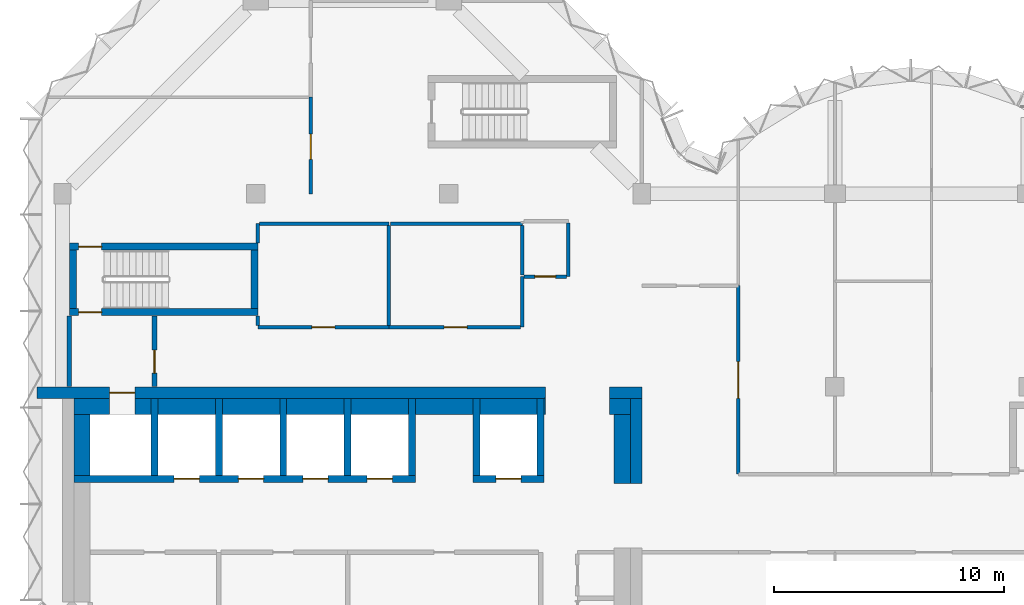
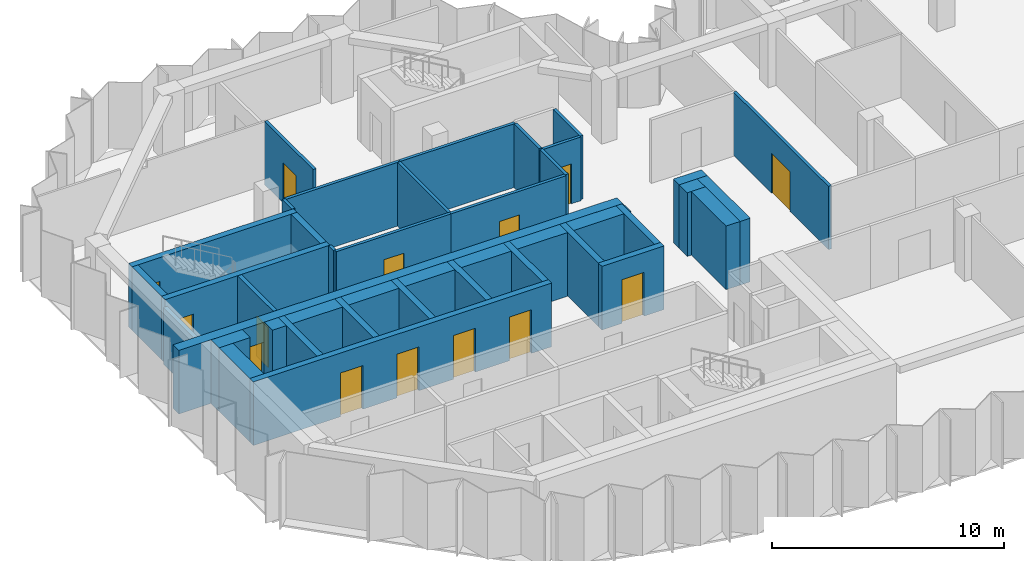
# One storey, part 5 of 10: 43 walls, 14 doors, 14 openings.
"""IFC4 building model written with IfcOpenShell, lengths in metres."""

from ifc_helpers import new_model, si_unit, direction, frame, frame_2d, origin, place, context, subcontext, project, spatial, rectangle, extrude, material, layer, layer_set, type_object, element, fill, save


model = new_model("IFC4")

# Units and contexts
model_context = context("Model", 3, precision=1e-05, world=origin(), true_north=direction((0.0, 1.0)))
body_context = subcontext(model_context, "Body", "Model", "MODEL_VIEW")
ifc_project = project(units=[si_unit("LENGTHUNIT", "METRE"), si_unit("AREAUNIT", "SQUARE_METRE"), si_unit("VOLUMEUNIT", "CUBIC_METRE"), si_unit("PLANEANGLEUNIT", "RADIAN"), si_unit("MASSUNIT", "GRAM", prefix="KILO")], contexts=[model_context])

# Site, building, storey
site_placement = place(None, origin())
site = spatial("IfcSite", under=ifc_project, at=site_placement, CompositionType="ELEMENT")
building_placement = place(site_placement, origin())
building = spatial("IfcBuilding", under=site, at=building_placement, Name="Brevane Broadcast Tower", CompositionType="ELEMENT")
storey_placement = place(building_placement, frame((0.0, 0.0, 233.699951171875)))
storey = spatial("IfcBuildingStorey", under=building, at=storey_placement, Name="L59", CompositionType="ELEMENT", Elevation=233.699951171875)

# Walls
ifc_material_1 = material(Name="Concrete C32/40", Category="concrete")
ifc_layer_1 = layer(ifc_material_1, 0.699951171875)
ifc_layer_set_1 = layer_set([ifc_layer_1], Name="Core chase wall 700 mm")
wall_type_1 = type_object("IfcWallType", Name="Core chase wall 700 mm", PredefinedType="PARTITIONING", material=ifc_layer_set_1)
wall_1_placement = place(storey_placement, frame((24.35009765625, 12.60009765625, 0.0), z_axis=(0.0, 0.0, 1.0), x_axis=(0.0, 1.0, 0.0)))
element("IfcWall", 1, at=wall_1_placement, inside=storey, type_object=wall_type_1, Name="L59 chase wall LE2", PredefinedType="PARTITIONING", context=body_context, shape_type="SweptSolid", body=[
    extrude(rectangle(XDim=3.0, YDim=0.699951171875, at=frame_2d((1.5, 0.0))), origin(), (0.0, 0.0, 1.0), 3.35009765625),
])
wall_2_placement = place(storey_placement, frame((0.5, 15.949951171875, 0.0), z_axis=(0.0, 0.0, 1.0), x_axis=(1.0, 0.0, 0.0)))
element("IfcWall", 2, at=wall_2_placement, inside=storey, type_object=wall_type_1, Name="L59 chase wall LN0", PredefinedType="PARTITIONING", context=body_context, shape_type="SweptSolid", body=[
    extrude(rectangle(XDim=1.550048828125, YDim=0.699951171875, at=frame_2d((0.77490234375, 0.0))), origin(), (0.0, 0.0, 1.0), 3.35009765625),
])
wall_3_placement = place(storey_placement, frame((23.800048828125, 15.949951171875, 0.0), z_axis=(0.0, 0.0, 1.0), x_axis=(1.0, 0.0, 0.0)))
element("IfcWall", 3, at=wall_3_placement, inside=storey, type_object=wall_type_1, Name="L59 chase wall LN2", PredefinedType="PARTITIONING", context=body_context, shape_type="SweptSolid", body=[
    extrude(rectangle(XDim=0.89990234375, YDim=0.699951171875, at=frame_2d((0.449951171875, 0.0))), origin(), (0.0, 0.0, 1.0), 3.35009765625),
])
wall_4_placement = place(storey_placement, frame((0.85009765625, 12.949951171875, 0.0), z_axis=(0.0, 0.0, 1.0), x_axis=(0.0, 1.0, 0.0)))
element("IfcWall", 4, at=wall_4_placement, inside=storey, type_object=wall_type_1, Name="L59 chase wall LW-2", PredefinedType="PARTITIONING", context=body_context, shape_type="SweptSolid", body=[
    extrude(rectangle(XDim=2.650146484375, YDim=0.699951171875, at=frame_2d((1.3251953125, 0.0))), origin(), (0.0, 0.0, 1.0), 3.35009765625),
])
wall_5_placement = place(storey_placement, frame((3.14990234375, 15.949951171875, 0.0), z_axis=(0.0, 0.0, 1.0), x_axis=(1.0, 0.0, 0.0)))
element("IfcWall", 5, at=wall_5_placement, inside=storey, type_object=wall_type_1, Name="L59 chase wall LN1-1", PredefinedType="PARTITIONING", context=body_context, shape_type="SweptSolid", body=[
    extrude(rectangle(XDim=0.7001953125, YDim=0.699951171875, at=frame_2d((0.35009765625, 0.0))), origin(), (0.0, 0.0, 1.0), 3.35009765625),
])
for number, where, z_axis, x_axis, name in (
    (6, (4.14990234375, 15.949951171875, 0.0), (0.0, 0.0, 1.0), (1.0, 0.0, 0.0), "L59 chase wall LN1-2-1"),
    (7, (6.949951171875, 15.949951171875, 0.0), (0.0, 0.0, 1.0), (1.0, 0.0, 0.0), "L59 chase wall LN1-2-2-1"),
    (8, (9.75, 15.949951171875, 0.0), (0.0, 0.0, 1.0), (1.0, 0.0, 0.0), "L59 chase wall LN1-2-2-2-1"),
    (9, (12.550048828125, 15.949951171875, 0.0), (0.0, 0.0, 1.0), (1.0, 0.0, 0.0), "L59 chase wall LN1-2-2-2-2-1"),
    (10, (15.35009765625, 15.949951171875, 0.0), (0.0, 0.0, 1.0), (1.0, 0.0, 0.0), "L59 chase wall LN1-2-2-2-2-2-1"),
    (11, (18.14990234375, 15.949951171875, 0.0), (0.0, 0.0, 1.0), (1.0, 0.0, 0.0), "L59 chase wall LN1-2-2-2-2-2-2-1"),
):
    element("IfcWall", number, at=place(storey_placement, frame(where, z_axis=z_axis, x_axis=x_axis)), inside=storey, type_object=wall_type_1, Name=name, PredefinedType="PARTITIONING", context=body_context, shape_type="SweptSolid", body=[
        extrude(rectangle(XDim=2.5, YDim=0.699951171875, at=frame_2d((1.25, 0.0))), origin(), (0.0, 0.0, 1.0), 3.35009765625),
    ])
wall_6_placement = place(storey_placement, frame((20.949951171875, 15.949951171875, 0.0), z_axis=(0.0, 0.0, 1.0), x_axis=(1.0, 0.0, 0.0)))
element("IfcWall", 12, at=wall_6_placement, inside=storey, type_object=wall_type_1, Name="L59 chase wall LN1-2-2-2-2-2-2-2", PredefinedType="PARTITIONING", context=body_context, shape_type="SweptSolid", body=[
    extrude(rectangle(XDim=0.050048828125, YDim=0.699951171875, at=frame_2d((0.02490234375, 0.0))), origin(), (0.0, 0.0, 1.0), 3.35009765625),
])

# Wall, opening, door
ifc_material_2 = material(Name="Gypsum board on steel studs", Category="steel")
ifc_layer_2 = layer(ifc_material_2, 0.14990234375)
ifc_layer_set_2 = layer_set([ifc_layer_2], Name="Core fire partition 150 mm")
wall_type_2 = type_object("IfcWallType", Name="Core fire partition 150 mm", PredefinedType="PARTITIONING", material=ifc_layer_set_2)
wall_7_placement = place(storey_placement, frame((14.199951171875, 19.39990234375, 0.0), z_axis=(0.0, 0.0, 1.0), x_axis=(-1.0, 0.0, 0.0)))
wall_7 = element("IfcWall", 13, at=wall_7_placement, inside=storey, type_object=wall_type_2, Name="L59 partition wall P22", PredefinedType="PARTITIONING", context=body_context, shape_type="SweptSolid", body=[
    extrude(rectangle(XDim=5.699951171875, YDim=0.14990234375, at=frame_2d((2.85009765625, 0.0))), origin(), (0.0, 0.0, 1.0), 3.35009765625),
])
opening_1_placement = place(wall_7_placement, frame((2.35009765625, 0.0, 0.0)))
opening_1 = element("IfcOpeningElement", 14, at=opening_1_placement, cuts=wall_7, Name="Opening L59-K24", PredefinedType="OPENING", context=body_context, shape_type="SweptSolid", body=[
    extrude(rectangle(XDim=1.0, YDim=2.10009765625, at=frame_2d((0.5, 1.050048828125))), frame((0.0, 0.0849609375, 0.0), z_axis=(0.0, -1.0, 0.0), x_axis=(1.0, 0.0, 0.0)), (0.0, 0.0, 1.0), 0.169921875),
])
ifc_material_3 = material(Name="Steel", Category="steel")
door_type_1 = type_object("IfcDoorType", Name="Service room door 1000 x 2100", OperationType="SINGLE_SWING_LEFT", PredefinedType="DOOR", material=ifc_material_3)
door_1_placement = place(opening_1_placement, origin())
door_1 = element("IfcDoor", 15, at=door_1_placement, inside=storey, type_object=door_type_1, Name="Door L59-K24", OperationType="SINGLE_SWING_LEFT", OverallHeight=2.10009765625, OverallWidth=1.0, PredefinedType="DOOR", context=body_context, shape_type="SweptSolid", body=[
    extrude(rectangle(XDim=1.0, YDim=2.10009765625, at=frame_2d((0.5, 1.050048828125))), frame((0.0, 0.02490234375, 0.0), z_axis=(0.0, -1.0, 0.0), x_axis=(1.0, 0.0, 0.0)), (0.0, 0.0, 1.0), 0.050048828125),
])
fill(opening_1, door_1)

# Walls
wall_8_placement = place(storey_placement, frame((8.5, 19.47509765625, 0.0), z_axis=(0.0, 0.0, 1.0), x_axis=(0.0, 1.0, 0.0)))
element("IfcWall", 16, at=wall_8_placement, inside=storey, type_object=wall_type_2, Name="L59 partition wall P23", PredefinedType="PARTITIONING", context=body_context, shape_type="SweptSolid", body=[
    extrude(rectangle(XDim=0.412841796875, YDim=0.14990234375, at=frame_2d((0.20654296875, 0.0))), origin(), (0.0, 0.0, 1.0), 3.35009765625),
])
wall_9_placement = place(storey_placement, frame((8.5, 23.06201171875, 0.0), z_axis=(0.0, 0.0, 1.0), x_axis=(0.0, 1.0, 0.0)))
element("IfcWall", 17, at=wall_9_placement, inside=storey, type_object=wall_type_2, Name="L59 partition wall P24", PredefinedType="PARTITIONING", context=body_context, shape_type="SweptSolid", body=[
    extrude(rectangle(XDim=0.837890625, YDim=0.14990234375, at=frame_2d((0.4189453125, 0.0))), origin(), (0.0, 0.0, 1.0), 3.35009765625),
])
wall_10_placement = place(storey_placement, frame((8.574951171875, 23.89990234375, 0.0), z_axis=(0.0, 0.0, 1.0), x_axis=(1.0, 0.0, 0.0)))
element("IfcWall", 18, at=wall_10_placement, inside=storey, type_object=wall_type_2, Name="L59 partition wall P25", PredefinedType="PARTITIONING", context=body_context, shape_type="SweptSolid", body=[
    extrude(rectangle(XDim=5.625, YDim=0.14990234375, at=frame_2d((2.8125, 0.0))), origin(), (0.0, 0.0, 1.0), 3.35009765625),
])
wall_11_placement = place(storey_placement, frame((20.0, 21.60009765625, 0.0), z_axis=(0.0, 0.0, 1.0), x_axis=(0.0, -1.0, 0.0)))
element("IfcWall", 19, at=wall_11_placement, inside=storey, type_object=wall_type_2, Name="L59 partition wall P26", PredefinedType="PARTITIONING", context=body_context, shape_type="SweptSolid", body=[
    extrude(rectangle(XDim=2.2001953125, YDim=0.14990234375, at=frame_2d((1.10009765625, 0.0))), origin(), (0.0, 0.0, 1.0), 3.35009765625),
])

# Wall, opening, door
wall_12_placement = place(storey_placement, frame((19.925048828125, 19.39990234375, 0.0), z_axis=(0.0, 0.0, 1.0), x_axis=(-1.0, 0.0, 0.0)))
wall_12 = element("IfcWall", 20, at=wall_12_placement, inside=storey, type_object=wall_type_2, Name="L59 partition wall P27", PredefinedType="PARTITIONING", context=body_context, shape_type="SweptSolid", body=[
    extrude(rectangle(XDim=5.72509765625, YDim=0.14990234375, at=frame_2d((2.862548828125, 0.0))), origin(), (0.0, 0.0, 1.0), 3.35009765625),
])
opening_2_placement = place(wall_12_placement, frame((2.324951171875, 0.0, 0.0)))
opening_2 = element("IfcOpeningElement", 21, at=opening_2_placement, cuts=wall_12, Name="Opening L59-K25", PredefinedType="OPENING", context=body_context, shape_type="SweptSolid", body=[
    extrude(rectangle(XDim=1.0, YDim=2.10009765625, at=frame_2d((0.5, 1.050048828125))), frame((0.0, 0.0849609375, 0.0), z_axis=(0.0, -1.0, 0.0), x_axis=(1.0, 0.0, 0.0)), (0.0, 0.0, 1.0), 0.169921875),
])
door_2_placement = place(opening_2_placement, origin())
door_2 = element("IfcDoor", 22, at=door_2_placement, inside=storey, type_object=door_type_1, Name="Door L59-K25", OperationType="SINGLE_SWING_RIGHT", OverallHeight=2.10009765625, OverallWidth=1.0, PredefinedType="DOOR", context=body_context, shape_type="SweptSolid", body=[
    extrude(rectangle(XDim=1.0, YDim=2.10009765625, at=frame_2d((0.5, 1.050048828125))), frame((0.0, 0.02490234375, 0.0), z_axis=(0.0, -1.0, 0.0), x_axis=(1.0, 0.0, 0.0)), (0.0, 0.0, 1.0), 0.050048828125),
])
fill(opening_2, door_2)

# Walls
wall_13_placement = place(storey_placement, frame((14.199951171875, 23.824951171875, 0.0), z_axis=(0.0, 0.0, 1.0), x_axis=(0.0, -1.0, 0.0)))
element("IfcWall", 23, at=wall_13_placement, inside=storey, type_object=wall_type_2, Name="L59 partition wall P28", PredefinedType="PARTITIONING", context=body_context, shape_type="SweptSolid", body=[
    extrude(rectangle(XDim=4.349853515625, YDim=0.14990234375, at=frame_2d((2.1748046875, 0.0))), origin(), (0.0, 0.0, 1.0), 3.35009765625),
])
wall_14_placement = place(storey_placement, frame((14.27490234375, 23.89990234375, 0.0), z_axis=(0.0, 0.0, 1.0), x_axis=(1.0, 0.0, 0.0)))
element("IfcWall", 24, at=wall_14_placement, inside=storey, type_object=wall_type_2, Name="L59 partition wall P29", PredefinedType="PARTITIONING", context=body_context, shape_type="SweptSolid", body=[
    extrude(rectangle(XDim=5.72509765625, YDim=0.14990234375, at=frame_2d((2.862548828125, 0.0))), origin(), (0.0, 0.0, 1.0), 3.35009765625),
])
wall_15_placement = place(storey_placement, frame((22.0, 23.925048828125, 0.0), z_axis=(0.0, 0.0, 1.0), x_axis=(0.0, -1.0, 0.0)))
element("IfcWall", 25, at=wall_15_placement, inside=storey, type_object=wall_type_2, Name="L59 partition wall P32", PredefinedType="PARTITIONING", context=body_context, shape_type="SweptSolid", body=[
    extrude(rectangle(XDim=2.324951171875, YDim=0.14990234375, at=frame_2d((1.16259765625, 0.0))), origin(), (0.0, 0.0, 1.0), 3.35009765625),
])

# Wall, opening, door
wall_16_placement = place(storey_placement, frame((21.925048828125, 21.60009765625, 0.0), z_axis=(0.0, 0.0, 1.0), x_axis=(-1.0, 0.0, 0.0)))
wall_16 = element("IfcWall", 26, at=wall_16_placement, inside=storey, type_object=wall_type_2, Name="L59 partition wall P33", PredefinedType="PARTITIONING", context=body_context, shape_type="SweptSolid", body=[
    extrude(rectangle(XDim=1.85009765625, YDim=0.14990234375, at=frame_2d((0.925048828125, 0.0))), origin(), (0.0, 0.0, 1.0), 3.35009765625),
])
opening_3_placement = place(wall_16_placement, frame((0.47509765625, 0.0, 0.0)))
opening_3 = element("IfcOpeningElement", 27, at=opening_3_placement, cuts=wall_16, Name="Opening L59-K23", PredefinedType="OPENING", context=body_context, shape_type="SweptSolid", body=[
    extrude(rectangle(XDim=0.89990234375, YDim=2.10009765625, at=frame_2d((0.449951171875, 1.050048828125))), frame((0.0, 0.0849609375, 0.0), z_axis=(0.0, -1.0, 0.0), x_axis=(1.0, 0.0, 0.0)), (0.0, 0.0, 1.0), 0.169921875),
])
ifc_material_4 = material(Name="Timber", Category="wood")
door_type_2 = type_object("IfcDoorType", Name="Toilet door 900 x 2100", OperationType="SINGLE_SWING_LEFT", PredefinedType="DOOR", material=ifc_material_4)
door_3_placement = place(opening_3_placement, origin())
door_3 = element("IfcDoor", 28, at=door_3_placement, inside=storey, type_object=door_type_2, Name="Door L59-K23", OperationType="SINGLE_SWING_RIGHT", OverallHeight=2.10009765625, OverallWidth=0.89990234375, PredefinedType="DOOR", context=body_context, shape_type="SweptSolid", body=[
    extrude(rectangle(XDim=0.89990234375, YDim=2.10009765625, at=frame_2d((0.449951171875, 1.050048828125))), frame((0.0, 0.02490234375, 0.0), z_axis=(0.0, -1.0, 0.0), x_axis=(1.0, 0.0, 0.0)), (0.0, 0.0, 1.0), 0.050048828125),
])
fill(opening_3, door_3)

# Walls
wall_17_placement = place(storey_placement, frame((20.0, 21.675048828125, 0.0), z_axis=(0.0, 0.0, 1.0), x_axis=(0.0, 1.0, 0.0)))
element("IfcWall", 29, at=wall_17_placement, inside=storey, type_object=wall_type_2, Name="L59 partition wall P34", PredefinedType="PARTITIONING", context=body_context, shape_type="SweptSolid", body=[
    extrude(rectangle(XDim=2.14990234375, YDim=0.14990234375, at=frame_2d((1.074951171875, 0.0))), origin(), (0.0, 0.0, 1.0), 3.35009765625),
])
ifc_layer_3 = layer(ifc_material_2, 0.199951171875)
ifc_layer_set_3 = layer_set([ifc_layer_3], Name="Core fire partition 200 mm")
wall_type_3 = type_object("IfcWallType", Name="Core fire partition 200 mm", PredefinedType="PARTITIONING", material=ifc_layer_set_3)
wall_18_placement = place(storey_placement, frame((0.300048828125, 16.81201171875, 0.0), z_axis=(0.0, 0.0, 1.0), x_axis=(0.0, 1.0, 0.0)))
element("IfcWall", 30, at=wall_18_placement, inside=storey, type_object=wall_type_3, Name="L59 partition wall P01", PredefinedType="PARTITIONING", context=body_context, shape_type="SweptSolid", body=[
    extrude(rectangle(XDim=3.075927734375, YDim=0.199951171875, at=frame_2d((1.5380859375, 0.0))), origin(), (0.0, 0.0, 1.0), 2.97998046875),
])

# Wall, opening, door
wall_19_placement = place(storey_placement, frame((4.0, 19.887939453125, 0.0), z_axis=(0.0, 0.0, 1.0), x_axis=(0.0, -1.0, 0.0)))
wall_19 = element("IfcWall", 31, at=wall_19_placement, inside=storey, type_object=wall_type_3, Name="L59 partition wall P02", PredefinedType="PARTITIONING", context=body_context, shape_type="SweptSolid", body=[
    extrude(rectangle(XDim=3.075927734375, YDim=0.199951171875, at=frame_2d((1.5380859375, 0.0))), origin(), (0.0, 0.0, 1.0), 3.35009765625),
])
opening_4_placement = place(wall_19_placement, frame((1.488037109375, 0.0, 0.0)))
opening_4 = element("IfcOpeningElement", 32, at=opening_4_placement, cuts=wall_19, Name="Opening L59-K22", PredefinedType="OPENING", context=body_context, shape_type="SweptSolid", body=[
    extrude(rectangle(XDim=1.0, YDim=2.10009765625, at=frame_2d((0.5, 1.050048828125))), frame((0.0, 0.10986328125, 0.0), z_axis=(0.0, -1.0, 0.0), x_axis=(1.0, 0.0, 0.0)), (0.0, 0.0, 1.0), 0.219970703125),
])
door_type_3 = type_object("IfcDoorType", Name="Stair door 1000 x 2100", OperationType="SINGLE_SWING_LEFT", PredefinedType="DOOR", material=ifc_material_3)
door_4_placement = place(opening_4_placement, origin())
door_4 = element("IfcDoor", 33, at=door_4_placement, inside=storey, type_object=door_type_3, Name="Door L59-K22", OperationType="SINGLE_SWING_LEFT", OverallHeight=2.10009765625, OverallWidth=1.0, PredefinedType="DOOR", context=body_context, shape_type="SweptSolid", body=[
    extrude(rectangle(XDim=1.0, YDim=2.10009765625, at=frame_2d((0.5, 1.050048828125))), frame((0.0, 0.02490234375, 0.0), z_axis=(0.0, -1.0, 0.0), x_axis=(1.0, 0.0, 0.0)), (0.0, 0.0, 1.0), 0.050048828125),
])
fill(opening_4, door_4)

# Wall, openings, doors
ifc_material_5 = material(Name="Concrete C50/60", Category="concrete")
ifc_layer_4 = layer(ifc_material_5, 0.300048828125)
ifc_layer_set_4 = layer_set([ifc_layer_4], Name="Core wall 300 mm C50/60")
wall_type_4 = type_object("IfcWallType", Name="Core wall 300 mm C50/60", PredefinedType="SHEAR", material=ifc_layer_set_4)
wall_20_placement = place(storey_placement, frame((0.5, 12.800048828125, 0.0), z_axis=(0.0, 0.0, 1.0), x_axis=(1.0, 0.0, 0.0)))
wall_20 = element("IfcWall", 34, at=wall_20_placement, inside=storey, type_object=wall_type_4, Name="L59 shaft wall SH-N012-front", PredefinedType="SHEAR", context=body_context, shape_type="SweptSolid", body=[
    extrude(rectangle(XDim=14.85009765625, YDim=0.300048828125, at=frame_2d((7.425048828125, 0.0))), origin(), (0.0, 0.0, 1.0), 3.35009765625),
])
opening_5_placement = place(wall_20_placement, frame((4.35009765625, 0.0, 0.0)))
opening_5 = element("IfcOpeningElement", 35, at=opening_5_placement, cuts=wall_20, Name="Opening LD", PredefinedType="OPENING", context=body_context, shape_type="SweptSolid", body=[
    extrude(rectangle(XDim=1.10009765625, YDim=2.300048828125, at=frame_2d((0.550048828125, 1.14990234375))), frame((0.0, 0.159912109375, 0.0), z_axis=(0.0, -1.0, 0.0), x_axis=(1.0, 0.0, 0.0)), (0.0, 0.0, 1.0), 0.320068359375),
])
opening_6_placement = place(wall_20_placement, frame((7.14990234375, 0.0, 0.0)))
opening_6 = element("IfcOpeningElement", 36, at=opening_6_placement, cuts=wall_20, Name="Opening LD", PredefinedType="OPENING", context=body_context, shape_type="SweptSolid", body=[
    extrude(rectangle(XDim=1.10009765625, YDim=2.300048828125, at=frame_2d((0.550048828125, 1.14990234375))), frame((0.0, 0.159912109375, 0.0), z_axis=(0.0, -1.0, 0.0), x_axis=(1.0, 0.0, 0.0)), (0.0, 0.0, 1.0), 0.320068359375),
])
opening_7_placement = place(wall_20_placement, frame((9.949951171875, 0.0, 0.0)))
opening_7 = element("IfcOpeningElement", 37, at=opening_7_placement, cuts=wall_20, Name="Opening LD", PredefinedType="OPENING", context=body_context, shape_type="SweptSolid", body=[
    extrude(rectangle(XDim=1.10009765625, YDim=2.300048828125, at=frame_2d((0.550048828125, 1.14990234375))), frame((0.0, 0.159912109375, 0.0), z_axis=(0.0, -1.0, 0.0), x_axis=(1.0, 0.0, 0.0)), (0.0, 0.0, 1.0), 0.320068359375),
])
opening_8_placement = place(wall_20_placement, frame((12.75, 0.0, 0.0)))
opening_8 = element("IfcOpeningElement", 38, at=opening_8_placement, cuts=wall_20, Name="Opening LD", PredefinedType="OPENING", context=body_context, shape_type="SweptSolid", body=[
    extrude(rectangle(XDim=1.10009765625, YDim=2.300048828125, at=frame_2d((0.550048828125, 1.14990234375))), frame((0.0, 0.159912109375, 0.0), z_axis=(0.0, -1.0, 0.0), x_axis=(1.0, 0.0, 0.0)), (0.0, 0.0, 1.0), 0.320068359375),
])
ifc_material_6 = material(Name="Stainless steel", Category="steel")
door_type_4 = type_object("IfcDoorType", Name="Lift landing door", OperationType="SLIDING_TO_LEFT", PredefinedType="DOOR", material=ifc_material_6)
door_5_placement = place(opening_5_placement, origin())
door_5 = element("IfcDoor", 39, at=door_5_placement, inside=storey, type_object=door_type_4, Name="Landing door HR1 L59", OperationType="SLIDING_TO_LEFT", OverallHeight=2.300048828125, OverallWidth=1.10009765625, PredefinedType="DOOR", context=body_context, shape_type="SweptSolid", body=[
    extrude(rectangle(XDim=1.10009765625, YDim=2.300048828125, at=frame_2d((0.550048828125, 1.14990234375))), frame((0.0, 0.02490234375, 0.0), z_axis=(0.0, -1.0, 0.0), x_axis=(1.0, 0.0, 0.0)), (0.0, 0.0, 1.0), 0.050048828125),
])
fill(opening_5, door_5)
door_6_placement = place(opening_6_placement, origin())
door_6 = element("IfcDoor", 40, at=door_6_placement, inside=storey, type_object=door_type_4, Name="Landing door HR2 L59", OperationType="SLIDING_TO_LEFT", OverallHeight=2.300048828125, OverallWidth=1.10009765625, PredefinedType="DOOR", context=body_context, shape_type="SweptSolid", body=[
    extrude(rectangle(XDim=1.10009765625, YDim=2.300048828125, at=frame_2d((0.550048828125, 1.14990234375))), frame((0.0, 0.02490234375, 0.0), z_axis=(0.0, -1.0, 0.0), x_axis=(1.0, 0.0, 0.0)), (0.0, 0.0, 1.0), 0.050048828125),
])
fill(opening_6, door_6)
door_7_placement = place(opening_7_placement, origin())
door_7 = element("IfcDoor", 41, at=door_7_placement, inside=storey, type_object=door_type_4, Name="Landing door HR3 L59", OperationType="SLIDING_TO_LEFT", OverallHeight=2.300048828125, OverallWidth=1.10009765625, PredefinedType="DOOR", context=body_context, shape_type="SweptSolid", body=[
    extrude(rectangle(XDim=1.10009765625, YDim=2.300048828125, at=frame_2d((0.550048828125, 1.14990234375))), frame((0.0, 0.02490234375, 0.0), z_axis=(0.0, -1.0, 0.0), x_axis=(1.0, 0.0, 0.0)), (0.0, 0.0, 1.0), 0.050048828125),
])
fill(opening_7, door_7)
door_8_placement = place(opening_8_placement, origin())
door_8 = element("IfcDoor", 42, at=door_8_placement, inside=storey, type_object=door_type_4, Name="Landing door HR4 L59", OperationType="SLIDING_TO_LEFT", OverallHeight=2.300048828125, OverallWidth=1.10009765625, PredefinedType="DOOR", context=body_context, shape_type="SweptSolid", body=[
    extrude(rectangle(XDim=1.10009765625, YDim=2.300048828125, at=frame_2d((0.550048828125, 1.14990234375))), frame((0.0, 0.02490234375, 0.0), z_axis=(0.0, -1.0, 0.0), x_axis=(1.0, 0.0, 0.0)), (0.0, 0.0, 1.0), 0.050048828125),
])
fill(opening_8, door_8)

# Walls
for number, where, z_axis, x_axis, name in (
    (43, (4.0, 12.949951171875, 0.0), (0.0, 0.0, 1.0), (0.0, 1.0, 0.0), "L59 shaft wall SH-N-P040"),
    (44, (6.800048828125, 12.949951171875, 0.0), (0.0, 0.0, 1.0), (0.0, 1.0, 0.0), "L59 shaft wall SH-N-P068"),
    (45, (9.60009765625, 12.949951171875, 0.0), (0.0, 0.0, 1.0), (0.0, 1.0, 0.0), "L59 shaft wall SH-N-P096"),
    (46, (12.39990234375, 12.949951171875, 0.0), (0.0, 0.0, 1.0), (0.0, 1.0, 0.0), "L59 shaft wall SH-N-P124"),
    (47, (15.199951171875, 12.949951171875, 0.0), (0.0, 0.0, 1.0), (0.0, 1.0, 0.0), "L59 shaft wall SH-N-P152"),
):
    element("IfcWall", number, at=place(storey_placement, frame(where, z_axis=z_axis, x_axis=x_axis)), inside=storey, type_object=wall_type_4, Name=name, PredefinedType="SHEAR", context=body_context, shape_type="SweptSolid", body=[
        extrude(rectangle(XDim=3.35009765625, YDim=0.300048828125, at=frame_2d((1.675048828125, 0.0))), origin(), (0.0, 0.0, 1.0), 3.35009765625),
    ])

# Wall, opening, door
wall_21_placement = place(storey_placement, frame((17.85009765625, 12.800048828125, 0.0), z_axis=(0.0, 0.0, 1.0), x_axis=(1.0, 0.0, 0.0)))
wall_21 = element("IfcWall", 48, at=wall_21_placement, inside=storey, type_object=wall_type_4, Name="L59 shaft wall SH-N180-front", PredefinedType="SHEAR", context=body_context, shape_type="SweptSolid", body=[
    extrude(rectangle(XDim=3.099853515625, YDim=0.300048828125, at=frame_2d((1.5498046875, 0.0))), origin(), (0.0, 0.0, 1.0), 3.35009765625),
])
opening_9_placement = place(wall_21_placement, frame((1.0, 0.0, 0.0)))
opening_9 = element("IfcOpeningElement", 49, at=opening_9_placement, cuts=wall_21, Name="Opening LD", PredefinedType="OPENING", context=body_context, shape_type="SweptSolid", body=[
    extrude(rectangle(XDim=1.10009765625, YDim=2.300048828125, at=frame_2d((0.550048828125, 1.14990234375))), frame((0.0, 0.159912109375, 0.0), z_axis=(0.0, -1.0, 0.0), x_axis=(1.0, 0.0, 0.0)), (0.0, 0.0, 1.0), 0.320068359375),
])
door_9_placement = place(opening_9_placement, origin())
door_9 = element("IfcDoor", 50, at=door_9_placement, inside=storey, type_object=door_type_4, Name="Landing door SL1 L59", OperationType="SLIDING_TO_LEFT", OverallHeight=2.300048828125, OverallWidth=1.10009765625, PredefinedType="DOOR", context=body_context, shape_type="SweptSolid", body=[
    extrude(rectangle(XDim=1.10009765625, YDim=2.300048828125, at=frame_2d((0.550048828125, 1.14990234375))), frame((0.0, 0.02490234375, 0.0), z_axis=(0.0, -1.0, 0.0), x_axis=(1.0, 0.0, 0.0)), (0.0, 0.0, 1.0), 0.050048828125),
])
fill(opening_9, door_9)

# Walls
for number, where, z_axis, x_axis, name in (
    (51, (18.0, 12.949951171875, 0.0), (0.0, 0.0, 1.0), (0.0, 1.0, 0.0), "L59 shaft wall SH-N-P180"),
    (52, (20.800048828125, 12.949951171875, 0.0), (0.0, 0.0, 1.0), (0.0, 1.0, 0.0), "L59 shaft wall SH-N-P208"),
):
    element("IfcWall", number, at=place(storey_placement, frame(where, z_axis=z_axis, x_axis=x_axis)), inside=storey, type_object=wall_type_4, Name=name, PredefinedType="SHEAR", context=body_context, shape_type="SweptSolid", body=[
        extrude(rectangle(XDim=3.35009765625, YDim=0.300048828125, at=frame_2d((1.675048828125, 0.0))), origin(), (0.0, 0.0, 1.0), 3.35009765625),
    ])

# Wall, opening, door
wall_22_placement = place(storey_placement, frame((8.5, 20.050048828125, 0.0), z_axis=(0.0, 0.0, 1.0), x_axis=(-1.0, 0.0, 0.0)))
wall_22 = element("IfcWall", 53, at=wall_22_placement, inside=storey, type_object=wall_type_4, Name="L59 stair wall ST-1-S", PredefinedType="SHEAR", context=body_context, shape_type="SweptSolid", body=[
    extrude(rectangle(XDim=8.199951171875, YDim=0.300048828125, at=frame_2d((4.10009765625, 0.0))), origin(), (0.0, 0.0, 1.0), 3.35009765625),
])
opening_10_placement = place(wall_22_placement, frame((6.800048828125, 0.0, 0.0)))
opening_10 = element("IfcOpeningElement", 54, at=opening_10_placement, cuts=wall_22, Name="Opening L59-K08", PredefinedType="OPENING", context=body_context, shape_type="SweptSolid", body=[
    extrude(rectangle(XDim=1.0, YDim=2.10009765625, at=frame_2d((0.5, 1.050048828125))), frame((0.0, 0.159912109375, 0.0), z_axis=(0.0, -1.0, 0.0), x_axis=(1.0, 0.0, 0.0)), (0.0, 0.0, 1.0), 0.320068359375),
])
door_10_placement = place(opening_10_placement, origin())
door_10 = element("IfcDoor", 55, at=door_10_placement, inside=storey, type_object=door_type_3, Name="Door L59-K08", OperationType="SINGLE_SWING_LEFT", OverallHeight=2.10009765625, OverallWidth=1.0, PredefinedType="DOOR", context=body_context, shape_type="SweptSolid", body=[
    extrude(rectangle(XDim=1.0, YDim=2.10009765625, at=frame_2d((0.5, 1.050048828125))), frame((0.0, 0.02490234375, 0.0), z_axis=(0.0, -1.0, 0.0), x_axis=(1.0, 0.0, 0.0)), (0.0, 0.0, 1.0), 0.050048828125),
])
fill(opening_10, door_10)

wall_23_placement = place(storey_placement, frame((0.300048828125, 22.89990234375, 0.0), z_axis=(0.0, 0.0, 1.0), x_axis=(1.0, 0.0, 0.0)))
wall_23 = element("IfcWall", 56, at=wall_23_placement, inside=storey, type_object=wall_type_4, Name="L59 stair wall ST-1-N", PredefinedType="SHEAR", context=body_context, shape_type="SweptSolid", body=[
    extrude(rectangle(XDim=8.199951171875, YDim=0.300048828125, at=frame_2d((4.10009765625, 0.0))), origin(), (0.0, 0.0, 1.0), 3.35009765625),
])
opening_11_placement = place(wall_23_placement, frame((0.39990234375, 0.0, 0.0)))
opening_11 = element("IfcOpeningElement", 57, at=opening_11_placement, cuts=wall_23, Name="Opening L59-K09", PredefinedType="OPENING", context=body_context, shape_type="SweptSolid", body=[
    extrude(rectangle(XDim=1.0, YDim=2.10009765625, at=frame_2d((0.5, 1.050048828125))), frame((0.0, 0.159912109375, 0.0), z_axis=(0.0, -1.0, 0.0), x_axis=(1.0, 0.0, 0.0)), (0.0, 0.0, 1.0), 0.320068359375),
])
door_11_placement = place(opening_11_placement, origin())
door_11 = element("IfcDoor", 58, at=door_11_placement, inside=storey, type_object=door_type_3, Name="Door L59-K09", OperationType="SINGLE_SWING_RIGHT", OverallHeight=2.10009765625, OverallWidth=1.0, PredefinedType="DOOR", context=body_context, shape_type="SweptSolid", body=[
    extrude(rectangle(XDim=1.0, YDim=2.10009765625, at=frame_2d((0.5, 1.050048828125))), frame((0.0, 0.02490234375, 0.0), z_axis=(0.0, -1.0, 0.0), x_axis=(1.0, 0.0, 0.0)), (0.0, 0.0, 1.0), 0.050048828125),
])
fill(opening_11, door_11)

# Walls
for number, where, z_axis, x_axis, name in (
    (59, (0.449951171875, 20.199951171875, 0.0), (0.0, 0.0, 1.0), (0.0, 1.0, 0.0), "L59 stair wall ST-1-W"),
    (60, (8.35009765625, 20.199951171875, 0.0), (0.0, 0.0, 1.0), (0.0, 1.0, 0.0), "L59 stair wall ST-1-E"),
):
    element("IfcWall", number, at=place(storey_placement, frame(where, z_axis=z_axis, x_axis=x_axis)), inside=storey, type_object=wall_type_4, Name=name, PredefinedType="SHEAR", context=body_context, shape_type="SweptSolid", body=[
        extrude(rectangle(XDim=2.550048828125, YDim=0.300048828125, at=frame_2d((1.27490234375, 0.0))), origin(), (0.0, 0.0, 1.0), 3.35009765625),
    ])

# Wall, opening, door
ifc_layer_5 = layer(ifc_material_5, 0.5)
ifc_layer_set_5 = layer_set([ifc_layer_5], Name="Core wall 500 mm C50/60")
wall_type_5 = type_object("IfcWallType", Name="Core wall 500 mm C50/60", PredefinedType="SHEAR", material=ifc_layer_set_5)
wall_24_placement = place(storey_placement, frame((-1.10009765625, 16.550048828125, 0.0), z_axis=(0.0, 0.0, 1.0), x_axis=(1.0, 0.0, 0.0)))
wall_24 = element("IfcWall", 61, at=wall_24_placement, inside=storey, type_object=wall_type_5, Name="L59 outer wall WN1", PredefinedType="SHEAR", context=body_context, shape_type="SweptSolid", body=[
    extrude(rectangle(XDim=22.10009765625, YDim=0.5, at=frame_2d((11.050048828125, 0.0))), origin(), (0.0, 0.0, 1.0), 3.35009765625),
])
opening_12_placement = place(wall_24_placement, frame((3.14990234375, 0.0, 0.0)))
opening_12 = element("IfcOpeningElement", 62, at=opening_12_placement, cuts=wall_24, Name="Opening LD", PredefinedType="OPENING", context=body_context, shape_type="SweptSolid", body=[
    extrude(rectangle(XDim=1.10009765625, YDim=2.300048828125, at=frame_2d((0.550048828125, 1.14990234375))), frame((0.0, 0.260009765625, 0.0), z_axis=(0.0, -1.0, 0.0), x_axis=(1.0, 0.0, 0.0)), (0.0, 0.0, 1.0), 0.52001953125),
])
door_12_placement = place(opening_12_placement, origin())
door_12 = element("IfcDoor", 63, at=door_12_placement, inside=storey, type_object=door_type_4, Name="Landing door FF1 L59", OperationType="SLIDING_TO_LEFT", OverallHeight=2.300048828125, OverallWidth=1.10009765625, PredefinedType="DOOR", context=body_context, shape_type="SweptSolid", body=[
    extrude(rectangle(XDim=1.10009765625, YDim=2.300048828125, at=frame_2d((0.550048828125, 1.14990234375))), frame((0.0, 0.02490234375, 0.0), z_axis=(0.0, -1.0, 0.0), x_axis=(1.0, 0.0, 0.0)), (0.0, 0.0, 1.0), 0.050048828125),
])
fill(opening_12, door_12)

# Walls
wall_25_placement = place(storey_placement, frame((23.800048828125, 16.550048828125, 0.0), z_axis=(0.0, 0.0, 1.0), x_axis=(1.0, 0.0, 0.0)))
element("IfcWall", 64, at=wall_25_placement, inside=storey, type_object=wall_type_5, Name="L59 outer wall WN2", PredefinedType="SHEAR", context=body_context, shape_type="SweptSolid", body=[
    extrude(rectangle(XDim=1.39990234375, YDim=0.5, at=frame_2d((0.699951171875, 0.0))), origin(), (0.0, 0.0, 1.0), 3.35009765625),
])
wall_26_placement = place(storey_placement, frame((24.949951171875, 12.60009765625, 0.0), z_axis=(0.0, 0.0, 1.0), x_axis=(0.0, 1.0, 0.0)))
element("IfcWall", 65, at=wall_26_placement, inside=storey, type_object=wall_type_5, Name="L59 outer wall WE2", PredefinedType="SHEAR", context=body_context, shape_type="SweptSolid", body=[
    extrude(rectangle(XDim=3.699951171875, YDim=0.5, at=frame_2d((1.85009765625, 0.0))), origin(), (0.0, 0.0, 1.0), 3.35009765625),
])

# Wall, opening, door
ifc_material_7 = material(Name="Gypsum board partition")
ifc_layer_6 = layer(ifc_material_7, 0.14990234375)
ifc_layer_set_6 = layer_set([ifc_layer_6], Name="PARTITION 150 EI 60")
wall_type_6 = type_object("IfcWallType", Name="PARTITION 150 EI 60", PredefinedType="PARTITIONING", material=ifc_layer_set_6)
wall_27_placement = place(storey_placement, frame((29.39990234375, 21.199951171875, 0.0), z_axis=(0.0, 0.0, 1.0), x_axis=(0.0, -1.0, 0.0)))
wall_27 = element("IfcWall", 66, at=wall_27_placement, inside=storey, type_object=wall_type_6, Name="Partition G18-003", PredefinedType="PARTITIONING", context=body_context, shape_type="SweptSolid", body=[
    extrude(rectangle(XDim=8.199951171875, YDim=0.14990234375, at=frame_2d((4.10009765625, 0.0))), origin(), (0.0, 0.0, 1.0), 3.330078125),
])
opening_13_placement = place(wall_27_placement, frame((3.300048828125, 0.0, 0.0)))
opening_13 = element("IfcOpeningElement", 67, at=opening_13_placement, cuts=wall_27, Name="Opening D29-005", PredefinedType="OPENING", context=body_context, shape_type="SweptSolid", body=[
    extrude(rectangle(XDim=1.60009765625, YDim=2.10009765625, at=frame_2d((0.800048828125, 1.050048828125))), frame((0.0, 0.0849609375, 0.0), z_axis=(0.0, -1.0, 0.0), x_axis=(1.0, 0.0, 0.0)), (0.0, 0.0, 1.0), 0.169921875),
])
ifc_material_8 = material(Name="Fire-rated timber door leaf", Category="wood")
door_type_5 = type_object("IfcDoorType", Name="DOOR DOUBLE 1600 FD30S", OperationType="DOUBLE_DOOR_SINGLE_SWING", PredefinedType="DOOR", material=ifc_material_8)
door_13_placement = place(opening_13_placement, origin())
door_13 = element("IfcDoor", 68, at=door_13_placement, inside=storey, type_object=door_type_5, Name="Door D29-005", OperationType="DOUBLE_DOOR_SINGLE_SWING", OverallHeight=2.10009765625, OverallWidth=1.60009765625, PredefinedType="DOOR", context=body_context, shape_type="SweptSolid", body=[
    extrude(rectangle(XDim=1.60009765625, YDim=2.10009765625, at=frame_2d((0.800048828125, 1.050048828125))), frame((0.0, 0.02490234375, 0.0), z_axis=(0.0, -1.0, 0.0), x_axis=(1.0, 0.0, 0.0)), (0.0, 0.0, 1.0), 0.050048828125),
])
fill(opening_13, door_13)

wall_28_placement = place(storey_placement, frame((10.800048828125, 25.199951171875, 0.0), z_axis=(0.0, 0.0, 1.0), x_axis=(0.0, 1.0, 0.0)))
wall_28 = element("IfcWall", 69, at=wall_28_placement, inside=storey, type_object=wall_type_6, Name="Partition G18-031", PredefinedType="PARTITIONING", context=body_context, shape_type="SweptSolid", body=[
    extrude(rectangle(XDim=4.199951171875, YDim=0.14990234375, at=frame_2d((2.10009765625, 0.0))), origin(), (0.0, 0.0, 1.0), 3.330078125),
])
opening_14_placement = place(wall_28_placement, frame((1.5, 0.0, 0.0)))
opening_14 = element("IfcOpeningElement", 70, at=opening_14_placement, cuts=wall_28, Name="Opening D29-011", PredefinedType="OPENING", context=body_context, shape_type="SweptSolid", body=[
    extrude(rectangle(XDim=1.10009765625, YDim=2.10009765625, at=frame_2d((0.550048828125, 1.050048828125))), frame((0.0, 0.0849609375, 0.0), z_axis=(0.0, -1.0, 0.0), x_axis=(1.0, 0.0, 0.0)), (0.0, 0.0, 1.0), 0.169921875),
])
door_type_6 = type_object("IfcDoorType", Name="DOOR SINGLE 1100 FD30S", OperationType="SINGLE_SWING_LEFT", PredefinedType="DOOR", material=ifc_material_8)
door_14_placement = place(opening_14_placement, origin())
door_14 = element("IfcDoor", 71, at=door_14_placement, inside=storey, type_object=door_type_6, Name="Door D29-011", OperationType="SINGLE_SWING_LEFT", OverallHeight=2.10009765625, OverallWidth=1.10009765625, PredefinedType="DOOR", context=body_context, shape_type="SweptSolid", body=[
    extrude(rectangle(XDim=1.10009765625, YDim=2.10009765625, at=frame_2d((0.550048828125, 1.050048828125))), frame((0.0, 0.02490234375, 0.0), z_axis=(0.0, -1.0, 0.0), x_axis=(1.0, 0.0, 0.0)), (0.0, 0.0, 1.0), 0.050048828125),
])
fill(opening_14, door_14)

save(model, "model.ifc")
